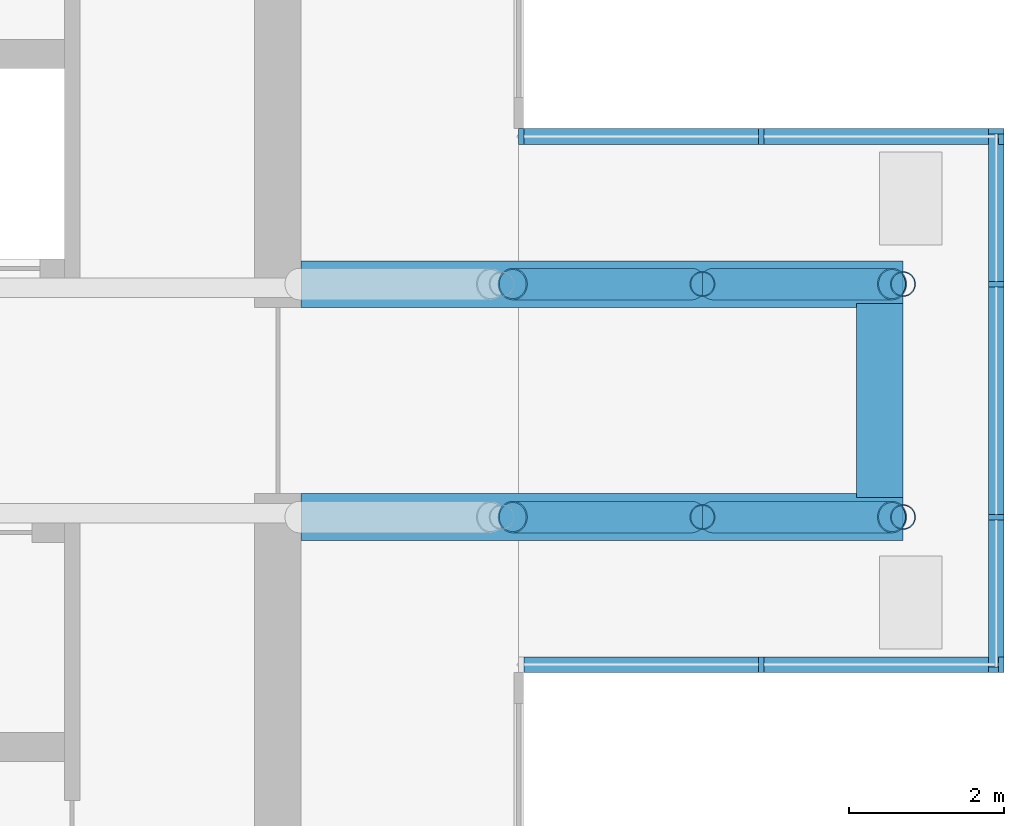
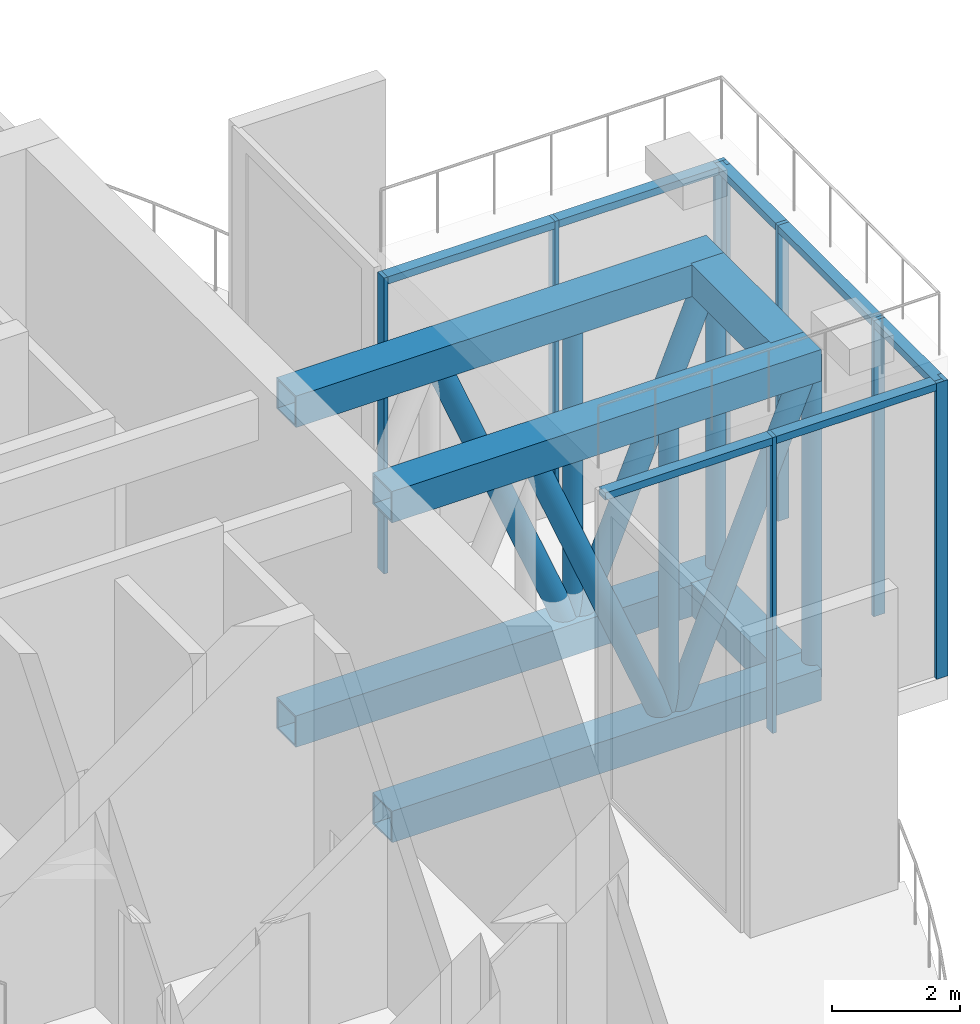
# One storey, part 8 of 25: 24 members, 6 beams, 3 elements without a shape of their own.
"""IFC4 building model written with IfcOpenShell, lengths in metres."""

from ifc_helpers import new_model, si_unit, direction, frame, origin, origin_2d, place, context, subcontext, project, spatial, rectangle, hollow_rectangle, hollow_circle, extrude, material, layer, layer_set, material_profile, profile_set, type_object, element, aggregate, save


model = new_model("IFC4")

# Units and contexts
model_context = context("Model", 3, precision=1e-05, world=origin(), true_north=direction((0.0, 1.0)))
body_context = subcontext(model_context, "Body", "Model", "MODEL_VIEW")
ifc_project = project(units=[si_unit("LENGTHUNIT", "METRE"), si_unit("AREAUNIT", "SQUARE_METRE"), si_unit("VOLUMEUNIT", "CUBIC_METRE"), si_unit("PLANEANGLEUNIT", "RADIAN"), si_unit("MASSUNIT", "GRAM", prefix="KILO")], contexts=[model_context])

# Site, building, storey
site_placement = place(None, origin())
site = spatial("IfcSite", under=ifc_project, at=site_placement, CompositionType="ELEMENT")
building_placement = place(site_placement, origin())
building = spatial("IfcBuilding", under=site, at=building_placement, Name="Maasbend Ring Residences", CompositionType="ELEMENT")
storey_placement = place(building_placement, frame((0.0, 0.0, 139.10009765625)))
storey = spatial("IfcBuildingStorey", under=building, at=storey_placement, Name="L40", CompositionType="ELEMENT", Elevation=139.10009765625)

# Curtain wall, members
ifc_material_1 = material(Name="Aluminium and clear glass", Category="aluminium")
ifc_layer = layer(ifc_material_1, 0.199951171875)
ifc_layer_set = layer_set([ifc_layer], Name="CW-GR")
curtain_wall_type = type_object("IfcCurtainWallType", Name="CW-GR", PredefinedType="NOTDEFINED", material=ifc_layer_set)
curtain_wall_1_placement = place(storey_placement, origin())
curtain_wall_1 = element("IfcCurtainWall", 1, at=curtain_wall_1_placement, inside=storey, type_object=curtain_wall_type, Name="Glass lounge curtain wall tip", PredefinedType="NOTDEFINED")
ifc_material_2 = material(Name="Aluminium 6063-T6", Category="aluminium")
ifc_material_profile_1 = material_profile(ifc_material_2, rectangle(XDim=0.199951171875, YDim=0.070068359375, at=origin_2d()), Name="AL 200x70")
ifc_profile_set_1 = profile_set([ifc_material_profile_1], Name="Aluminium 6063-T6")
member_type_1 = type_object("IfcMemberType", Name="CWM-GR", PredefinedType="MULLION", material=ifc_profile_set_1)
member_1_placement = place(storey_placement, frame((31.14990234375, -3.465087890625, 0.0), z_axis=(0.0, 0.0, 1.0), x_axis=(-1.0, 0.0, 0.0)))
member_1 = element("IfcMember", 2, at=member_1_placement, type_object=member_type_1, Name="Mullion glass room", PredefinedType="MULLION", context=body_context, shape_type="SweptSolid", body=[
    extrude(rectangle(XDim=0.199951171875, YDim=0.070068359375, at=origin_2d()), origin(), (0.0, 0.0, 1.0), 5.64990234375),
])
member_2_placement = place(storey_placement, frame((31.14990234375, -1.5, 0.0), z_axis=(0.0, 0.0, 1.0), x_axis=(-1.0, 0.0, 0.0)))
member_2 = element("IfcMember", 3, at=member_2_placement, type_object=member_type_1, Name="Mullion glass room", PredefinedType="MULLION", context=body_context, shape_type="SweptSolid", body=[
    extrude(rectangle(XDim=0.199951171875, YDim=0.070068359375, at=origin_2d()), origin(), (0.0, 0.0, 1.0), 5.64990234375),
])
member_3_placement = place(storey_placement, frame((31.14990234375, 1.5, 0.0), z_axis=(0.0, 0.0, 1.0), x_axis=(-1.0, 0.0, 0.0)))
member_3 = element("IfcMember", 4, at=member_3_placement, type_object=member_type_1, Name="Mullion glass room", PredefinedType="MULLION", context=body_context, shape_type="SweptSolid", body=[
    extrude(rectangle(XDim=0.199951171875, YDim=0.070068359375, at=origin_2d()), origin(), (0.0, 0.0, 1.0), 5.64990234375),
])
member_4_placement = place(storey_placement, frame((31.14990234375, 3.465087890625, 0.0), z_axis=(0.0, 0.0, 1.0), x_axis=(-1.0, 0.0, 0.0)))
member_4 = element("IfcMember", 5, at=member_4_placement, type_object=member_type_1, Name="Mullion glass room", PredefinedType="MULLION", context=body_context, shape_type="SweptSolid", body=[
    extrude(rectangle(XDim=0.199951171875, YDim=0.070068359375, at=origin_2d()), origin(), (0.0, 0.0, 1.0), 5.64990234375),
])

curtain_wall_2_placement = place(storey_placement, origin())
curtain_wall_2 = element("IfcCurtainWall", 6, at=curtain_wall_2_placement, inside=storey, type_object=curtain_wall_type, Name="Glass lounge curtain wall south", PredefinedType="NOTDEFINED")
member_5_placement = place(storey_placement, frame((28.125, -3.39990234375, 0.0), z_axis=(0.0, 0.0, 1.0), x_axis=(0.0, 1.0, 0.0)))
member_5 = element("IfcMember", 7, at=member_5_placement, type_object=member_type_1, Name="Mullion glass room", PredefinedType="MULLION", context=body_context, shape_type="SweptSolid", body=[
    extrude(rectangle(XDim=0.199951171875, YDim=0.070068359375, at=origin_2d()), origin(), (0.0, 0.0, 1.0), 5.64990234375),
])
member_6_placement = place(storey_placement, frame((31.215087890625, -3.39990234375, 0.0), z_axis=(0.0, 0.0, 1.0), x_axis=(0.0, 1.0, 0.0)))
member_6 = element("IfcMember", 8, at=member_6_placement, type_object=member_type_1, Name="Mullion glass room", PredefinedType="MULLION", context=body_context, shape_type="SweptSolid", body=[
    extrude(rectangle(XDim=0.199951171875, YDim=0.070068359375, at=origin_2d()), origin(), (0.0, 0.0, 1.0), 5.64990234375),
])

curtain_wall_3_placement = place(storey_placement, origin())
curtain_wall_3 = element("IfcCurtainWall", 9, at=curtain_wall_3_placement, inside=storey, type_object=curtain_wall_type, Name="Glass lounge curtain wall north", PredefinedType="NOTDEFINED")
member_7_placement = place(storey_placement, frame((25.034912109375, 3.39990234375, 0.0), z_axis=(0.0, 0.0, 1.0), x_axis=(0.0, 1.0, 0.0)))
member_7 = element("IfcMember", 10, at=member_7_placement, type_object=member_type_1, Name="Mullion glass room", PredefinedType="MULLION", context=body_context, shape_type="SweptSolid", body=[
    extrude(rectangle(XDim=0.199951171875, YDim=0.070068359375, at=origin_2d()), origin(), (0.0, 0.0, 1.0), 5.64990234375),
])
member_8_placement = place(storey_placement, frame((28.125, 3.39990234375, 0.0), z_axis=(0.0, 0.0, 1.0), x_axis=(0.0, 1.0, 0.0)))
member_8 = element("IfcMember", 11, at=member_8_placement, type_object=member_type_1, Name="Mullion glass room", PredefinedType="MULLION", context=body_context, shape_type="SweptSolid", body=[
    extrude(rectangle(XDim=0.199951171875, YDim=0.070068359375, at=origin_2d()), origin(), (0.0, 0.0, 1.0), 5.64990234375),
])
member_9_placement = place(storey_placement, frame((31.215087890625, 3.39990234375, 0.0), z_axis=(0.0, 0.0, 1.0), x_axis=(0.0, 1.0, 0.0)))
member_9 = element("IfcMember", 12, at=member_9_placement, type_object=member_type_1, Name="Mullion glass room", PredefinedType="MULLION", context=body_context, shape_type="SweptSolid", body=[
    extrude(rectangle(XDim=0.199951171875, YDim=0.070068359375, at=origin_2d()), origin(), (0.0, 0.0, 1.0), 5.64990234375),
])

# Member
ifc_material_3 = material(Name="Aluminium 6063-T6", Category="aluminium")
ifc_material_profile_2 = material_profile(ifc_material_3, rectangle(XDim=0.199951171875, YDim=0.139892578125, at=origin_2d()), Name="AL 200x140")
ifc_profile_set_2 = profile_set([ifc_material_profile_2], Name="Aluminium 6063-T6")
member_type_2 = type_object("IfcMemberType", Name="CWT-GR", PredefinedType="USERDEFINED", material=ifc_profile_set_2)
member_10_placement = place(storey_placement, frame((31.14990234375, -3.429931640625, 5.579833984375), z_axis=(0.0, 1.0, 0.0), x_axis=(-1.0, 0.0, 0.0)))
member_10 = element("IfcMember", 13, at=member_10_placement, type_object=member_type_2, Name="Transom glass room", ObjectType="TRANSOM", PredefinedType="USERDEFINED", context=body_context, shape_type="SweptSolid", body=[
    extrude(rectangle(XDim=0.199951171875, YDim=0.139892578125, at=origin_2d()), origin(), (0.0, 0.0, 1.0), 1.89501953125),
])

member_11_placement = place(storey_placement, frame((31.14990234375, -1.465087890625, 5.579833984375), z_axis=(0.0, 1.0, 0.0), x_axis=(-1.0, 0.0, 0.0)))
member_11 = element("IfcMember", 14, at=member_11_placement, type_object=member_type_2, Name="Transom glass room", ObjectType="TRANSOM", PredefinedType="USERDEFINED", context=body_context, shape_type="SweptSolid", body=[
    extrude(rectangle(XDim=0.199951171875, YDim=0.139892578125, at=origin_2d()), origin(), (0.0, 0.0, 1.0), 2.93017578125),
])

member_12_placement = place(storey_placement, frame((31.14990234375, 1.534912109375, 5.579833984375), z_axis=(0.0, 1.0, 0.0), x_axis=(-1.0, 0.0, 0.0)))
member_12 = element("IfcMember", 15, at=member_12_placement, type_object=member_type_2, Name="Transom glass room", ObjectType="TRANSOM", PredefinedType="USERDEFINED", context=body_context, shape_type="SweptSolid", body=[
    extrude(rectangle(XDim=0.199951171875, YDim=0.139892578125, at=origin_2d()), origin(), (0.0, 0.0, 1.0), 1.89501953125),
])

aggregate(curtain_wall_1, [member_1, member_2, member_3, member_4, member_10, member_11, member_12])

member_13_placement = place(storey_placement, frame((25.070068359375, -3.39990234375, 5.579833984375), z_axis=(1.0, 0.0, 0.0), x_axis=(0.0, 1.0, 0.0)))
member_13 = element("IfcMember", 16, at=member_13_placement, type_object=member_type_2, Name="Transom glass room", ObjectType="TRANSOM", PredefinedType="USERDEFINED", context=body_context, shape_type="SweptSolid", body=[
    extrude(rectangle(XDim=0.199951171875, YDim=0.139892578125, at=origin_2d()), origin(), (0.0, 0.0, 1.0), 3.02001953125),
])

member_14_placement = place(storey_placement, frame((28.159912109375, -3.39990234375, 5.579833984375), z_axis=(1.0, 0.0, 0.0), x_axis=(0.0, 1.0, 0.0)))
member_14 = element("IfcMember", 17, at=member_14_placement, type_object=member_type_2, Name="Transom glass room", ObjectType="TRANSOM", PredefinedType="USERDEFINED", context=body_context, shape_type="SweptSolid", body=[
    extrude(rectangle(XDim=0.199951171875, YDim=0.139892578125, at=origin_2d()), origin(), (0.0, 0.0, 1.0), 3.02001953125),
])

aggregate(curtain_wall_2, [member_5, member_6, member_13, member_14])

member_15_placement = place(storey_placement, frame((25.070068359375, 3.39990234375, 5.579833984375), z_axis=(1.0, 0.0, 0.0), x_axis=(0.0, 1.0, 0.0)))
member_15 = element("IfcMember", 18, at=member_15_placement, type_object=member_type_2, Name="Transom glass room", ObjectType="TRANSOM", PredefinedType="USERDEFINED", context=body_context, shape_type="SweptSolid", body=[
    extrude(rectangle(XDim=0.199951171875, YDim=0.139892578125, at=origin_2d()), origin(), (0.0, 0.0, 1.0), 3.02001953125),
])

member_16_placement = place(storey_placement, frame((28.159912109375, 3.39990234375, 5.579833984375), z_axis=(1.0, 0.0, 0.0), x_axis=(0.0, 1.0, 0.0)))
member_16 = element("IfcMember", 19, at=member_16_placement, type_object=member_type_2, Name="Transom glass room", ObjectType="TRANSOM", PredefinedType="USERDEFINED", context=body_context, shape_type="SweptSolid", body=[
    extrude(rectangle(XDim=0.199951171875, YDim=0.139892578125, at=origin_2d()), origin(), (0.0, 0.0, 1.0), 3.02001953125),
])

aggregate(curtain_wall_3, [member_7, member_8, member_9, member_15, member_16])

# Beams
ifc_material_4 = material(Name="Steel S460M", Category="steel")
ifc_material_profile_3 = material_profile(ifc_material_4, hollow_rectangle(XDim=0.60009765625, YDim=0.60009765625, WallThickness=0.035888671875, at=origin_2d()), Name="Glass room truss chord BX 600x600x36")
ifc_profile_set_3 = profile_set([ifc_material_profile_3], Name="Steel S460M")
beam_type = type_object("IfcBeamType", Name="Glass room truss chord BX 600x600x36", PredefinedType="BEAM", material=ifc_profile_set_3)
for number, where, z_axis, x_axis, name in (
    (20, (22.199951171875, -1.5, -0.75), (1.0, 0.0, 0.0), (0.0, 1.0, 0.0), "Glass room truss E"),
    (21, (22.199951171875, -1.5, 5.349853515625), (1.0, 0.0, 0.0), (0.0, 1.0, 0.0), "Glass room truss E"),
):
    element("IfcBeam", number, at=place(storey_placement, frame(where, z_axis=z_axis, x_axis=x_axis)), inside=storey, type_object=beam_type, Name=name, PredefinedType="BEAM", context=body_context, shape_type="SweptSolid", body=[
        extrude(hollow_rectangle(XDim=0.60009765625, YDim=0.60009765625, WallThickness=0.035888671875, at=origin_2d()), origin(), (0.0, 0.0, 1.0), 7.75),
    ])
for number, where, z_axis, x_axis, name in (
    (22, (29.64990234375, -1.25, 5.349853515625), (0.0, 1.0, 0.0), (-1.0, 0.0, 0.0), "Glass room tip beam E"),
    (23, (29.64990234375, -1.25, -0.75), (0.0, 1.0, 0.0), (-1.0, 0.0, 0.0), "Glass room lower tip beam E"),
):
    element("IfcBeam", number, at=place(storey_placement, frame(where, z_axis=z_axis, x_axis=x_axis)), inside=storey, type_object=beam_type, Name=name, PredefinedType="BEAM", context=body_context, shape_type="SweptSolid", body=[
        extrude(hollow_rectangle(XDim=0.60009765625, YDim=0.60009765625, WallThickness=0.035888671875, at=origin_2d()), origin(), (0.0, 0.0, 1.0), 2.5),
    ])
for number, where, z_axis, x_axis, name in (
    (24, (22.199951171875, 1.5, -0.75), (1.0, 0.0, 0.0), (0.0, 1.0, 0.0), "Glass room truss E"),
    (25, (22.199951171875, 1.5, 5.349853515625), (1.0, 0.0, 0.0), (0.0, 1.0, 0.0), "Glass room truss E"),
):
    element("IfcBeam", number, at=place(storey_placement, frame(where, z_axis=z_axis, x_axis=x_axis)), inside=storey, type_object=beam_type, Name=name, PredefinedType="BEAM", context=body_context, shape_type="SweptSolid", body=[
        extrude(hollow_rectangle(XDim=0.60009765625, YDim=0.60009765625, WallThickness=0.035888671875, at=origin_2d()), origin(), (0.0, 0.0, 1.0), 7.75),
    ])

# Members
ifc_material_5 = material(Name="Steel S460NH", Category="steel")
ifc_material_profile_4 = material_profile(ifc_material_5, hollow_circle(Radius=0.203125, WallThickness=0.01611328125, at=origin_2d()), Name="Glass room truss diagonal CHS 406.4x16")
ifc_profile_set_4 = profile_set([ifc_material_profile_4], Name="Steel S460NH")
member_type_3 = type_object("IfcMemberType", Name="Glass room truss diagonal CHS 406.4x16", PredefinedType="BRACE", material=ifc_profile_set_4)
for number, where, z_axis, x_axis, name in (
    (26, (24.9248046875, -1.5, 5.099853515625), (0.380003269948, 0.0, -0.924985143032), (0.0, 1.0, 0.0), "Glass room truss E diagonal"),
    (27, (27.508056640625, -1.5, -0.5), (0.380003269948, 0.0, 0.924985143032), (0.0, 1.0, 0.0), "Glass room truss E diagonal"),
    (28, (24.9248046875, 1.5, 5.099853515625), (0.380003269948, 0.0, -0.924985143032), (0.0, 1.0, 0.0), "Glass room truss E diagonal"),
    (29, (27.508056640625, 1.5, -0.5), (0.380003269948, 0.0, 0.924985143032), (0.0, 1.0, 0.0), "Glass room truss E diagonal"),
):
    element("IfcMember", number, at=place(storey_placement, frame(where, z_axis=z_axis, x_axis=x_axis)), inside=storey, type_object=member_type_3, Name=name, PredefinedType="BRACE", context=body_context, shape_type="SweptSolid", body=[
        extrude(hollow_circle(Radius=0.203125, WallThickness=0.01611328125, at=origin_2d()), origin(), (0.0, 0.0, 1.0), 6.053955078125),
    ])
ifc_material_6 = material(Name="Steel S460NH", Category="steel")
ifc_material_profile_5 = material_profile(ifc_material_6, hollow_circle(Radius=0.161865234375, WallThickness=0.012451171875, at=origin_2d()), Name="Glass room truss post CHS 323.9x12.5")
ifc_profile_set_5 = profile_set([ifc_material_profile_5], Name="Steel S460NH")
member_type_4 = type_object("IfcMemberType", Name="Glass room truss post CHS 323.9x12.5", PredefinedType="POST", material=ifc_profile_set_5)
member_17_placement = place(storey_placement, frame((27.36669921875, -1.5, -0.4501953125), z_axis=(0.0, 0.0, 1.0), x_axis=(1.0, 0.0, 0.0)))
element("IfcMember", 30, at=member_17_placement, inside=storey, type_object=member_type_4, Name="Glass room truss E post", PredefinedType="POST", context=body_context, shape_type="SweptSolid", body=[
    extrude(hollow_circle(Radius=0.161865234375, WallThickness=0.012451171875, at=origin_2d()), origin(), (0.0, 0.0, 1.0), 5.5),
])
member_18_placement = place(storey_placement, frame((29.949951171875, -1.5, -0.75), z_axis=(0.0, 0.0, 1.0), x_axis=(1.0, 0.0, 0.0)))
element("IfcMember", 31, at=member_18_placement, inside=storey, type_object=member_type_4, Name="Glass room truss E post", PredefinedType="POST", context=body_context, shape_type="SweptSolid", body=[
    extrude(hollow_circle(Radius=0.161865234375, WallThickness=0.012451171875, at=origin_2d()), origin(), (0.0, 0.0, 1.0), 6.099853515625),
])
member_19_placement = place(storey_placement, frame((27.36669921875, 1.5, -0.4501953125), z_axis=(0.0, 0.0, 1.0), x_axis=(1.0, 0.0, 0.0)))
element("IfcMember", 32, at=member_19_placement, inside=storey, type_object=member_type_4, Name="Glass room truss E post", PredefinedType="POST", context=body_context, shape_type="SweptSolid", body=[
    extrude(hollow_circle(Radius=0.161865234375, WallThickness=0.012451171875, at=origin_2d()), origin(), (0.0, 0.0, 1.0), 5.5),
])
member_20_placement = place(storey_placement, frame((29.949951171875, 1.5, -0.75), z_axis=(0.0, 0.0, 1.0), x_axis=(1.0, 0.0, 0.0)))
element("IfcMember", 33, at=member_20_placement, inside=storey, type_object=member_type_4, Name="Glass room truss E post", PredefinedType="POST", context=body_context, shape_type="SweptSolid", body=[
    extrude(hollow_circle(Radius=0.161865234375, WallThickness=0.012451171875, at=origin_2d()), origin(), (0.0, 0.0, 1.0), 6.099853515625),
])

save(model, "model.ifc")
